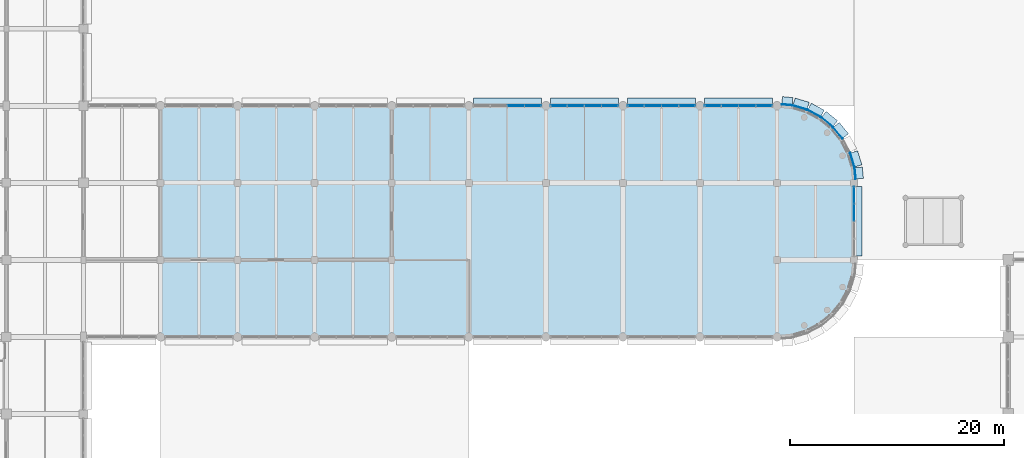
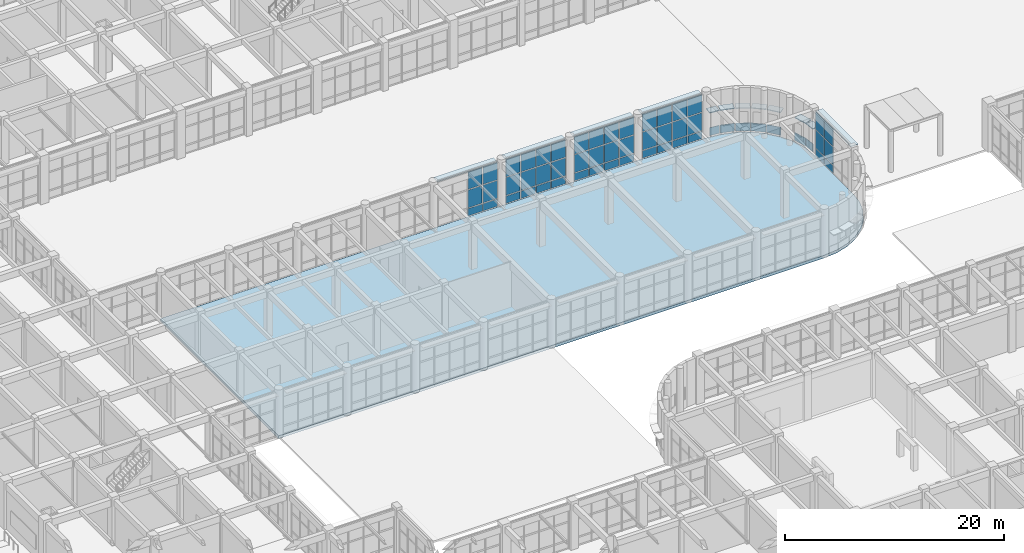
# One storey, part 126 of 160: 67 plates, 1 slab, 5 elements without a shape of their own.
"""IFC4 building model written with IfcOpenShell, lengths in metres."""

from ifc_helpers import new_model, si_unit, direction, frame, origin, origin_2d, place, context, subcontext, project, spatial, polyline, rectangle, outline, extrude, material, layer, layer_set, type_object, element, aggregate, save


model = new_model("IFC4")

# Units and contexts
model_context = context("Model", 3, precision=1e-05, world=origin(), true_north=direction((0.0, 1.0)))
body_context = subcontext(model_context, "Body", "Model", "MODEL_VIEW")
ifc_project = project(units=[si_unit("LENGTHUNIT", "METRE"), si_unit("AREAUNIT", "SQUARE_METRE"), si_unit("VOLUMEUNIT", "CUBIC_METRE"), si_unit("PLANEANGLEUNIT", "RADIAN"), si_unit("MASSUNIT", "GRAM", prefix="KILO")], contexts=[model_context])

# Site, building, storey
site_placement = place(None, origin())
site = spatial("IfcSite", under=ifc_project, at=site_placement, CompositionType="ELEMENT")
building_placement = place(site_placement, origin())
building = spatial("IfcBuilding", under=site, at=building_placement, Name="Thalmaran Polytechnic", CompositionType="ELEMENT")
storey_placement = place(building_placement, origin())
storey = spatial("IfcBuildingStorey", under=building, at=storey_placement, Name="L00", CompositionType="ELEMENT", Elevation=0.0)

# Plates
ifc_material_1 = material(Name="Anodised aluminium spandrel band", Category="aluminium")
ifc_layer_1 = layer(ifc_material_1, 0.054931640625, Name="Anodised aluminium spandrel band")
ifc_layer_set_1 = layer_set([ifc_layer_1], Name="Anodised aluminium spandrel band")
plate_type_1 = type_object("IfcPlateType", Name="PT-BD01", PredefinedType="SHEET", material=ifc_layer_set_1)
plate_1_placement = place(storey_placement, frame((87.319091796875, 72.09033203125, 0.02001953125), z_axis=(0.0, 0.0, 1.0), x_axis=(0.995184726672, -0.09801714033, 0.0)))
element("IfcPlate", 1, at=plate_1_placement, inside=storey, type_object=plate_type_1, Name="Streamline Horizontal Spandrel Band L00-120", PredefinedType="SHEET", context=body_context, shape_type="SweptSolid", body=[
    extrude(rectangle(XDim=0.971435546875, YDim=0.054931640625, at=origin_2d()), origin(), (0.0, 0.0, 1.0), 0.8798828125),
])
for number, where, z_axis, x_axis, name in (
    (2, (88.5322265625, 71.8291015625, 0.02001953125), (0.0, 0.0, 1.0), (0.956940335732, -0.290284677254, 0.0), "Streamline Horizontal Spandrel Band L00-121"),
    (3, (89.862548828125, 71.278076171875, 0.02001953125), (0.0, 0.0, 1.0), (0.881921264348, -0.471396736826, 0.0), "Streamline Horizontal Spandrel Band L00-122"),
    (4, (91.059814453125, 70.47802734375, 0.02001953125), (0.0, 0.0, 1.0), (0.773010453363, -0.634393284164, 0.0), "Streamline Horizontal Spandrel Band L00-123"),
    (5, (92.078125, 69.459716796875, 0.02001953125), (0.0, 0.0, 1.0), (0.634393284164, -0.773010453363, 0.0), "Streamline Horizontal Spandrel Band L00-124"),
    (6, (93.428955078125, 66.93212890625, 0.02001953125), (0.0, 0.0, 1.0), (0.290284677254, -0.956940335732, 0.0), "Streamline Horizontal Spandrel Band L00-126"),
):
    element("IfcPlate", number, at=place(storey_placement, frame(where, z_axis=z_axis, x_axis=x_axis)), inside=storey, type_object=plate_type_1, Name=name, PredefinedType="SHEET", context=body_context, shape_type="SweptSolid", body=[
        extrude(rectangle(XDim=1.371337890625, YDim=0.054931640625, at=origin_2d()), origin(), (0.0, 0.0, 1.0), 0.8798828125),
    ])
plate_2_placement = place(storey_placement, frame((93.694091796875, 65.681640625, 0.02001953125), z_axis=(0.0, 0.0, 1.0), x_axis=(0.09801714033, -0.995184726672, 0.0)))
element("IfcPlate", 7, at=plate_2_placement, inside=storey, type_object=plate_type_1, Name="Streamline Horizontal Spandrel Band L00-127", PredefinedType="SHEET", context=body_context, shape_type="SweptSolid", body=[
    extrude(rectangle(XDim=1.04638671875, YDim=0.054931640625, at=origin_2d()), origin(), (0.0, 0.0, 1.0), 0.8798828125),
])
ifc_material_2 = material(Name="Anodised aluminium sun-hood eyebrow", Category="aluminium")
ifc_layer_2 = layer(ifc_material_2, 0.0849609375, Name="Anodised aluminium sun-hood eyebrow")
ifc_layer_set_2 = layer_set([ifc_layer_2], Name="Anodised aluminium sun-hood eyebrow")
plate_type_2 = type_object("IfcPlateType", Name="PT-EB01", PredefinedType="SHEET", material=ifc_layer_set_2)
for number, where, z_axis, x_axis, name in (
    (8, (61.199951171875, 72.360107421875, 4.987548828125), (0.0, 0.0, 1.0), (1.0, 0.0, 0.0), "Streamline Sun-Hood Eyebrow L00-CW031"),
    (9, (68.39990234375, 72.360107421875, 4.987548828125), (0.0, 0.0, 1.0), (1.0, 0.0, 0.0), "Streamline Sun-Hood Eyebrow L00-CW032"),
    (10, (75.60009765625, 72.360107421875, 4.987548828125), (0.0, 0.0, 1.0), (1.0, 0.0, 0.0), "Streamline Sun-Hood Eyebrow L00-CW033"),
    (11, (82.800048828125, 72.360107421875, 4.987548828125), (0.0, 0.0, 1.0), (1.0, 0.0, 0.0), "Streamline Sun-Hood Eyebrow L00-CW034"),
):
    element("IfcPlate", number, at=place(storey_placement, frame(where, z_axis=z_axis, x_axis=x_axis)), inside=storey, type_object=plate_type_2, Name=name, PredefinedType="SHEET", context=body_context, shape_type="SweptSolid", body=[
        extrude(rectangle(XDim=6.360107421875, YDim=0.760009765625, at=origin_2d()), origin(), (0.0, 0.0, 1.0), 0.0849609375),
    ])
plate_3_placement = place(storey_placement, frame((87.352783203125, 72.43359375, 2.517578125), z_axis=(0.0, 0.0, 1.0), x_axis=(0.995184726672, -0.09801714033, 0.0)))
element("IfcPlate", 12, at=plate_3_placement, inside=storey, type_object=plate_type_2, Name="Streamline Sun-Hood Eyebrow L00-120", PredefinedType="SHEET", context=body_context, shape_type="SweptSolid", body=[
    extrude(rectangle(XDim=0.971435546875, YDim=0.760009765625, at=origin_2d()), origin(), (0.0, 0.0, 1.0), 0.0849609375),
])
for number, where, z_axis, x_axis, name in (
    (13, (88.63232421875, 72.1591796875, 2.517578125), (0.0, 0.0, 1.0), (0.956940335732, -0.290284677254, 0.0), "Streamline Sun-Hood Eyebrow L00-121"),
    (14, (90.025146484375, 71.582275390625, 2.517578125), (0.0, 0.0, 1.0), (0.881921264348, -0.471396736826, 0.0), "Streamline Sun-Hood Eyebrow L00-122"),
    (15, (91.27880859375, 70.74462890625, 2.517578125), (0.0, 0.0, 1.0), (0.773010453363, -0.634393284164, 0.0), "Streamline Sun-Hood Eyebrow L00-123"),
    (16, (92.3447265625, 69.6787109375, 2.517578125), (0.0, 0.0, 1.0), (0.634393284164, -0.773010453363, 0.0), "Streamline Sun-Hood Eyebrow L00-124"),
    (17, (93.75927734375, 67.032470703125, 2.517578125), (0.0, 0.0, 1.0), (0.290284677254, -0.956940335732, 0.0), "Streamline Sun-Hood Eyebrow L00-126"),
):
    element("IfcPlate", number, at=place(storey_placement, frame(where, z_axis=z_axis, x_axis=x_axis)), inside=storey, type_object=plate_type_2, Name=name, PredefinedType="SHEET", context=body_context, shape_type="SweptSolid", body=[
        extrude(rectangle(XDim=1.371337890625, YDim=0.760009765625, at=origin_2d()), origin(), (0.0, 0.0, 1.0), 0.0849609375),
    ])
plate_4_placement = place(storey_placement, frame((94.037353515625, 65.715576171875, 2.517578125), z_axis=(0.0, 0.0, 1.0), x_axis=(0.09801714033, -0.995184726672, 0.0)))
element("IfcPlate", 18, at=plate_4_placement, inside=storey, type_object=plate_type_2, Name="Streamline Sun-Hood Eyebrow L00-127", PredefinedType="SHEET", context=body_context, shape_type="SweptSolid", body=[
    extrude(rectangle(XDim=1.04638671875, YDim=0.760009765625, at=origin_2d()), origin(), (0.0, 0.0, 1.0), 0.0849609375),
])
plate_5_placement = place(storey_placement, frame((93.9599609375, 61.199951171875, 4.987548828125), z_axis=(0.0, 0.0, 1.0), x_axis=(0.0, -1.0, 0.0)))
element("IfcPlate", 19, at=plate_5_placement, inside=storey, type_object=plate_type_2, Name="Streamline Sun-Hood Eyebrow L00-CW035", PredefinedType="SHEET", context=body_context, shape_type="SweptSolid", body=[
    extrude(rectangle(XDim=6.510009765625, YDim=0.760009765625, at=origin_2d()), origin(), (0.0, 0.0, 1.0), 0.0849609375),
])

# Curtain wall, plates
ifc_material_3 = material(Name="Aluminium 6063-T6", Category="aluminium")
curtain_wall_type = type_object("IfcCurtainWallType", Name="CW-SC01", PredefinedType="USERDEFINED", material=ifc_material_3)
curtain_wall_1_placement = place(storey_placement, origin())
curtain_wall_1 = element("IfcCurtainWall", 20, at=curtain_wall_1_placement, inside=storey, type_object=curtain_wall_type, Name="Curtain Wall CW-L00-035", ObjectType="STICK CURTAIN WALL", PredefinedType="USERDEFINED")
ifc_material_4 = material(Name="Solar-control double low-E glass", Category="glass")
ifc_layer_3 = layer(ifc_material_4, 0.035888671875, Name="Solar-control double low-E glass")
ifc_layer_set_3 = layer_set([ifc_layer_3], Name="Solar-control double low-E glass")
plate_type_3 = type_object("IfcPlateType", Name="PT-GL01", PredefinedType="CURTAIN_PANEL", material=ifc_layer_set_3)
plate_6_placement = place(storey_placement, frame((93.60009765625, 63.65625, 1.0), z_axis=(0.0, 0.0, 1.0), x_axis=(0.0, -1.0, 0.0)))
plate_6 = element("IfcPlate", 21, at=plate_6_placement, type_object=plate_type_3, Name="CW-L00-035 Vision Panel 1-2", PredefinedType="CURTAIN_PANEL", context=body_context, shape_type="SweptSolid", body=[
    extrude(rectangle(XDim=1.53759765625, YDim=0.035888671875, at=origin_2d()), origin(), (0.0, 0.0, 1.0), 1.985107421875),
])
plate_7_placement = place(storey_placement, frame((93.60009765625, 63.65625, 3.06494140625), z_axis=(0.0, 0.0, 1.0), x_axis=(0.0, -1.0, 0.0)))
plate_7 = element("IfcPlate", 22, at=plate_7_placement, type_object=plate_type_3, Name="CW-L00-035 Vision Panel 1-3", PredefinedType="CURTAIN_PANEL", context=body_context, shape_type="SweptSolid", body=[
    extrude(rectangle(XDim=1.53759765625, YDim=0.035888671875, at=origin_2d()), origin(), (0.0, 0.0, 1.0), 1.925048828125),
])
plate_8_placement = place(storey_placement, frame((93.60009765625, 62.018798828125, 1.0), z_axis=(0.0, 0.0, 1.0), x_axis=(0.0, -1.0, 0.0)))
plate_8 = element("IfcPlate", 23, at=plate_8_placement, type_object=plate_type_3, Name="CW-L00-035 Vision Panel 2-2", PredefinedType="CURTAIN_PANEL", context=body_context, shape_type="SweptSolid", body=[
    extrude(rectangle(XDim=1.53759765625, YDim=0.035888671875, at=origin_2d()), origin(), (0.0, 0.0, 1.0), 1.985107421875),
])
plate_9_placement = place(storey_placement, frame((93.60009765625, 62.018798828125, 3.06494140625), z_axis=(0.0, 0.0, 1.0), x_axis=(0.0, -1.0, 0.0)))
plate_9 = element("IfcPlate", 24, at=plate_9_placement, type_object=plate_type_3, Name="CW-L00-035 Vision Panel 2-3", PredefinedType="CURTAIN_PANEL", context=body_context, shape_type="SweptSolid", body=[
    extrude(rectangle(XDim=1.53759765625, YDim=0.035888671875, at=origin_2d()), origin(), (0.0, 0.0, 1.0), 1.925048828125),
])

curtain_wall_2_placement = place(storey_placement, origin())
curtain_wall_2 = element("IfcCurtainWall", 25, at=curtain_wall_2_placement, inside=storey, type_object=curtain_wall_type, Name="Curtain Wall CW-L00-031", ObjectType="STICK CURTAIN WALL", PredefinedType="USERDEFINED")
ifc_layer_4 = layer(ifc_material_4, 0.035888671875, Name="Solar-control double low-E glass")
ifc_layer_set_4 = layer_set([ifc_layer_4], Name="Solar-control double low-E glass")
plate_type_4 = type_object("IfcPlateType", Name="PT-GL02", PredefinedType="CURTAIN_PANEL", material=ifc_layer_set_4)
plate_10_placement = place(storey_placement, frame((62.0, 72.0, 1.0), z_axis=(0.0, 0.0, 1.0), x_axis=(1.0, 0.0, 0.0)))
plate_10 = element("IfcPlate", 26, at=plate_10_placement, type_object=plate_type_4, Name="CW-L00-031 Vision Panel 3-2", PredefinedType="CURTAIN_PANEL", context=body_context, shape_type="SweptSolid", body=[
    extrude(rectangle(XDim=1.5, YDim=0.035888671875, at=origin_2d()), origin(), (0.0, 0.0, 1.0), 1.985107421875),
])
plate_11_placement = place(storey_placement, frame((62.0, 72.0, 3.06494140625), z_axis=(0.0, 0.0, 1.0), x_axis=(1.0, 0.0, 0.0)))
plate_11 = element("IfcPlate", 27, at=plate_11_placement, type_object=plate_type_4, Name="CW-L00-031 Vision Panel 3-3", PredefinedType="CURTAIN_PANEL", context=body_context, shape_type="SweptSolid", body=[
    extrude(rectangle(XDim=1.5, YDim=0.035888671875, at=origin_2d()), origin(), (0.0, 0.0, 1.0), 1.925048828125),
])
plate_12_placement = place(storey_placement, frame((63.60009765625, 72.0, 1.0), z_axis=(0.0, 0.0, 1.0), x_axis=(1.0, 0.0, 0.0)))
plate_12 = element("IfcPlate", 28, at=plate_12_placement, type_object=plate_type_4, Name="CW-L00-031 Vision Panel 4-2", PredefinedType="CURTAIN_PANEL", context=body_context, shape_type="SweptSolid", body=[
    extrude(rectangle(XDim=1.5, YDim=0.035888671875, at=origin_2d()), origin(), (0.0, 0.0, 1.0), 1.985107421875),
])
plate_13_placement = place(storey_placement, frame((63.60009765625, 72.0, 3.06494140625), z_axis=(0.0, 0.0, 1.0), x_axis=(1.0, 0.0, 0.0)))
plate_13 = element("IfcPlate", 29, at=plate_13_placement, type_object=plate_type_4, Name="CW-L00-031 Vision Panel 4-3", PredefinedType="CURTAIN_PANEL", context=body_context, shape_type="SweptSolid", body=[
    extrude(rectangle(XDim=1.5, YDim=0.035888671875, at=origin_2d()), origin(), (0.0, 0.0, 1.0), 1.925048828125),
])

curtain_wall_3_placement = place(storey_placement, origin())
curtain_wall_3 = element("IfcCurtainWall", 30, at=curtain_wall_3_placement, inside=storey, type_object=curtain_wall_type, Name="Curtain Wall CW-L00-032", ObjectType="STICK CURTAIN WALL", PredefinedType="USERDEFINED")
ifc_layer_5 = layer(ifc_material_4, 0.035888671875, Name="Solar-control double low-E glass")
ifc_layer_set_5 = layer_set([ifc_layer_5], Name="Solar-control double low-E glass")
plate_type_5 = type_object("IfcPlateType", Name="PT-GL03", PredefinedType="CURTAIN_PANEL", material=ifc_layer_set_5)
plate_14_placement = place(storey_placement, frame((66.0, 72.0, 1.0), z_axis=(0.0, 0.0, 1.0), x_axis=(1.0, 0.0, 0.0)))
plate_14 = element("IfcPlate", 31, at=plate_14_placement, type_object=plate_type_5, Name="CW-L00-032 Vision Panel 1-2", PredefinedType="CURTAIN_PANEL", context=body_context, shape_type="SweptSolid", body=[
    extrude(rectangle(XDim=1.5, YDim=0.035888671875, at=origin_2d()), origin(), (0.0, 0.0, 1.0), 1.985107421875),
])
plate_15_placement = place(storey_placement, frame((66.0, 72.0, 3.06494140625), z_axis=(0.0, 0.0, 1.0), x_axis=(1.0, 0.0, 0.0)))
plate_15 = element("IfcPlate", 32, at=plate_15_placement, type_object=plate_type_5, Name="CW-L00-032 Vision Panel 1-3", PredefinedType="CURTAIN_PANEL", context=body_context, shape_type="SweptSolid", body=[
    extrude(rectangle(XDim=1.5, YDim=0.035888671875, at=origin_2d()), origin(), (0.0, 0.0, 1.0), 1.925048828125),
])
plate_16_placement = place(storey_placement, frame((67.60009765625, 72.0, 1.0), z_axis=(0.0, 0.0, 1.0), x_axis=(1.0, 0.0, 0.0)))
plate_16 = element("IfcPlate", 33, at=plate_16_placement, type_object=plate_type_5, Name="CW-L00-032 Vision Panel 2-2", PredefinedType="CURTAIN_PANEL", context=body_context, shape_type="SweptSolid", body=[
    extrude(rectangle(XDim=1.5, YDim=0.035888671875, at=origin_2d()), origin(), (0.0, 0.0, 1.0), 1.985107421875),
])
plate_17_placement = place(storey_placement, frame((67.60009765625, 72.0, 3.06494140625), z_axis=(0.0, 0.0, 1.0), x_axis=(1.0, 0.0, 0.0)))
plate_17 = element("IfcPlate", 34, at=plate_17_placement, type_object=plate_type_5, Name="CW-L00-032 Vision Panel 2-3", PredefinedType="CURTAIN_PANEL", context=body_context, shape_type="SweptSolid", body=[
    extrude(rectangle(XDim=1.5, YDim=0.035888671875, at=origin_2d()), origin(), (0.0, 0.0, 1.0), 1.925048828125),
])
plate_18_placement = place(storey_placement, frame((69.199951171875, 72.0, 1.0), z_axis=(0.0, 0.0, 1.0), x_axis=(1.0, 0.0, 0.0)))
plate_18 = element("IfcPlate", 35, at=plate_18_placement, type_object=plate_type_5, Name="CW-L00-032 Vision Panel 3-2", PredefinedType="CURTAIN_PANEL", context=body_context, shape_type="SweptSolid", body=[
    extrude(rectangle(XDim=1.5, YDim=0.035888671875, at=origin_2d()), origin(), (0.0, 0.0, 1.0), 1.985107421875),
])
plate_19_placement = place(storey_placement, frame((69.199951171875, 72.0, 3.06494140625), z_axis=(0.0, 0.0, 1.0), x_axis=(1.0, 0.0, 0.0)))
plate_19 = element("IfcPlate", 36, at=plate_19_placement, type_object=plate_type_5, Name="CW-L00-032 Vision Panel 3-3", PredefinedType="CURTAIN_PANEL", context=body_context, shape_type="SweptSolid", body=[
    extrude(rectangle(XDim=1.5, YDim=0.035888671875, at=origin_2d()), origin(), (0.0, 0.0, 1.0), 1.925048828125),
])
plate_20_placement = place(storey_placement, frame((70.800048828125, 72.0, 1.0), z_axis=(0.0, 0.0, 1.0), x_axis=(1.0, 0.0, 0.0)))
plate_20 = element("IfcPlate", 37, at=plate_20_placement, type_object=plate_type_5, Name="CW-L00-032 Vision Panel 4-2", PredefinedType="CURTAIN_PANEL", context=body_context, shape_type="SweptSolid", body=[
    extrude(rectangle(XDim=1.5, YDim=0.035888671875, at=origin_2d()), origin(), (0.0, 0.0, 1.0), 1.985107421875),
])
plate_21_placement = place(storey_placement, frame((70.800048828125, 72.0, 3.06494140625), z_axis=(0.0, 0.0, 1.0), x_axis=(1.0, 0.0, 0.0)))
plate_21 = element("IfcPlate", 38, at=plate_21_placement, type_object=plate_type_5, Name="CW-L00-032 Vision Panel 4-3", PredefinedType="CURTAIN_PANEL", context=body_context, shape_type="SweptSolid", body=[
    extrude(rectangle(XDim=1.5, YDim=0.035888671875, at=origin_2d()), origin(), (0.0, 0.0, 1.0), 1.925048828125),
])

curtain_wall_4_placement = place(storey_placement, origin())
curtain_wall_4 = element("IfcCurtainWall", 39, at=curtain_wall_4_placement, inside=storey, type_object=curtain_wall_type, Name="Curtain Wall CW-L00-033", ObjectType="STICK CURTAIN WALL", PredefinedType="USERDEFINED")
ifc_layer_6 = layer(ifc_material_4, 0.035888671875, Name="Solar-control double low-E glass")
ifc_layer_set_6 = layer_set([ifc_layer_6], Name="Solar-control double low-E glass")
plate_type_6 = type_object("IfcPlateType", Name="PT-GL04", PredefinedType="CURTAIN_PANEL", material=ifc_layer_set_6)
plate_22_placement = place(storey_placement, frame((73.199951171875, 72.0, 1.0), z_axis=(0.0, 0.0, 1.0), x_axis=(1.0, 0.0, 0.0)))
plate_22 = element("IfcPlate", 40, at=plate_22_placement, type_object=plate_type_6, Name="CW-L00-033 Vision Panel 1-2", PredefinedType="CURTAIN_PANEL", context=body_context, shape_type="SweptSolid", body=[
    extrude(rectangle(XDim=1.5, YDim=0.035888671875, at=origin_2d()), origin(), (0.0, 0.0, 1.0), 1.985107421875),
])
plate_23_placement = place(storey_placement, frame((73.199951171875, 72.0, 3.06494140625), z_axis=(0.0, 0.0, 1.0), x_axis=(1.0, 0.0, 0.0)))
plate_23 = element("IfcPlate", 41, at=plate_23_placement, type_object=plate_type_6, Name="CW-L00-033 Vision Panel 1-3", PredefinedType="CURTAIN_PANEL", context=body_context, shape_type="SweptSolid", body=[
    extrude(rectangle(XDim=1.5, YDim=0.035888671875, at=origin_2d()), origin(), (0.0, 0.0, 1.0), 1.925048828125),
])
plate_24_placement = place(storey_placement, frame((74.800048828125, 72.0, 1.0), z_axis=(0.0, 0.0, 1.0), x_axis=(1.0, 0.0, 0.0)))
plate_24 = element("IfcPlate", 42, at=plate_24_placement, type_object=plate_type_6, Name="CW-L00-033 Vision Panel 2-2", PredefinedType="CURTAIN_PANEL", context=body_context, shape_type="SweptSolid", body=[
    extrude(rectangle(XDim=1.5, YDim=0.035888671875, at=origin_2d()), origin(), (0.0, 0.0, 1.0), 1.985107421875),
])
plate_25_placement = place(storey_placement, frame((74.800048828125, 72.0, 3.06494140625), z_axis=(0.0, 0.0, 1.0), x_axis=(1.0, 0.0, 0.0)))
plate_25 = element("IfcPlate", 43, at=plate_25_placement, type_object=plate_type_6, Name="CW-L00-033 Vision Panel 2-3", PredefinedType="CURTAIN_PANEL", context=body_context, shape_type="SweptSolid", body=[
    extrude(rectangle(XDim=1.5, YDim=0.035888671875, at=origin_2d()), origin(), (0.0, 0.0, 1.0), 1.925048828125),
])
plate_26_placement = place(storey_placement, frame((76.39990234375, 72.0, 1.0), z_axis=(0.0, 0.0, 1.0), x_axis=(1.0, 0.0, 0.0)))
plate_26 = element("IfcPlate", 44, at=plate_26_placement, type_object=plate_type_6, Name="CW-L00-033 Vision Panel 3-2", PredefinedType="CURTAIN_PANEL", context=body_context, shape_type="SweptSolid", body=[
    extrude(rectangle(XDim=1.5, YDim=0.035888671875, at=origin_2d()), origin(), (0.0, 0.0, 1.0), 1.985107421875),
])
plate_27_placement = place(storey_placement, frame((76.39990234375, 72.0, 3.06494140625), z_axis=(0.0, 0.0, 1.0), x_axis=(1.0, 0.0, 0.0)))
plate_27 = element("IfcPlate", 45, at=plate_27_placement, type_object=plate_type_6, Name="CW-L00-033 Vision Panel 3-3", PredefinedType="CURTAIN_PANEL", context=body_context, shape_type="SweptSolid", body=[
    extrude(rectangle(XDim=1.5, YDim=0.035888671875, at=origin_2d()), origin(), (0.0, 0.0, 1.0), 1.925048828125),
])
plate_28_placement = place(storey_placement, frame((78.0, 72.0, 1.0), z_axis=(0.0, 0.0, 1.0), x_axis=(1.0, 0.0, 0.0)))
plate_28 = element("IfcPlate", 46, at=plate_28_placement, type_object=plate_type_6, Name="CW-L00-033 Vision Panel 4-2", PredefinedType="CURTAIN_PANEL", context=body_context, shape_type="SweptSolid", body=[
    extrude(rectangle(XDim=1.5, YDim=0.035888671875, at=origin_2d()), origin(), (0.0, 0.0, 1.0), 1.985107421875),
])
plate_29_placement = place(storey_placement, frame((78.0, 72.0, 3.06494140625), z_axis=(0.0, 0.0, 1.0), x_axis=(1.0, 0.0, 0.0)))
plate_29 = element("IfcPlate", 47, at=plate_29_placement, type_object=plate_type_6, Name="CW-L00-033 Vision Panel 4-3", PredefinedType="CURTAIN_PANEL", context=body_context, shape_type="SweptSolid", body=[
    extrude(rectangle(XDim=1.5, YDim=0.035888671875, at=origin_2d()), origin(), (0.0, 0.0, 1.0), 1.925048828125),
])

curtain_wall_5_placement = place(storey_placement, origin())
curtain_wall_5 = element("IfcCurtainWall", 48, at=curtain_wall_5_placement, inside=storey, type_object=curtain_wall_type, Name="Curtain Wall CW-L00-034", ObjectType="STICK CURTAIN WALL", PredefinedType="USERDEFINED")
ifc_layer_7 = layer(ifc_material_4, 0.035888671875, Name="Solar-control double low-E glass")
ifc_layer_set_7 = layer_set([ifc_layer_7], Name="Solar-control double low-E glass")
plate_type_7 = type_object("IfcPlateType", Name="PT-GL05", PredefinedType="CURTAIN_PANEL", material=ifc_layer_set_7)
plate_30_placement = place(storey_placement, frame((80.39990234375, 72.0, 1.0), z_axis=(0.0, 0.0, 1.0), x_axis=(1.0, 0.0, 0.0)))
plate_30 = element("IfcPlate", 49, at=plate_30_placement, type_object=plate_type_7, Name="CW-L00-034 Vision Panel 1-2", PredefinedType="CURTAIN_PANEL", context=body_context, shape_type="SweptSolid", body=[
    extrude(rectangle(XDim=1.5, YDim=0.035888671875, at=origin_2d()), origin(), (0.0, 0.0, 1.0), 1.985107421875),
])
plate_31_placement = place(storey_placement, frame((80.39990234375, 72.0, 3.06494140625), z_axis=(0.0, 0.0, 1.0), x_axis=(1.0, 0.0, 0.0)))
plate_31 = element("IfcPlate", 50, at=plate_31_placement, type_object=plate_type_7, Name="CW-L00-034 Vision Panel 1-3", PredefinedType="CURTAIN_PANEL", context=body_context, shape_type="SweptSolid", body=[
    extrude(rectangle(XDim=1.5, YDim=0.035888671875, at=origin_2d()), origin(), (0.0, 0.0, 1.0), 1.925048828125),
])
plate_32_placement = place(storey_placement, frame((82.0, 72.0, 1.0), z_axis=(0.0, 0.0, 1.0), x_axis=(1.0, 0.0, 0.0)))
plate_32 = element("IfcPlate", 51, at=plate_32_placement, type_object=plate_type_7, Name="CW-L00-034 Vision Panel 2-2", PredefinedType="CURTAIN_PANEL", context=body_context, shape_type="SweptSolid", body=[
    extrude(rectangle(XDim=1.5, YDim=0.035888671875, at=origin_2d()), origin(), (0.0, 0.0, 1.0), 1.985107421875),
])
plate_33_placement = place(storey_placement, frame((82.0, 72.0, 3.06494140625), z_axis=(0.0, 0.0, 1.0), x_axis=(1.0, 0.0, 0.0)))
plate_33 = element("IfcPlate", 52, at=plate_33_placement, type_object=plate_type_7, Name="CW-L00-034 Vision Panel 2-3", PredefinedType="CURTAIN_PANEL", context=body_context, shape_type="SweptSolid", body=[
    extrude(rectangle(XDim=1.5, YDim=0.035888671875, at=origin_2d()), origin(), (0.0, 0.0, 1.0), 1.925048828125),
])
plate_34_placement = place(storey_placement, frame((83.60009765625, 72.0, 1.0), z_axis=(0.0, 0.0, 1.0), x_axis=(1.0, 0.0, 0.0)))
plate_34 = element("IfcPlate", 53, at=plate_34_placement, type_object=plate_type_7, Name="CW-L00-034 Vision Panel 3-2", PredefinedType="CURTAIN_PANEL", context=body_context, shape_type="SweptSolid", body=[
    extrude(rectangle(XDim=1.5, YDim=0.035888671875, at=origin_2d()), origin(), (0.0, 0.0, 1.0), 1.985107421875),
])
plate_35_placement = place(storey_placement, frame((83.60009765625, 72.0, 3.06494140625), z_axis=(0.0, 0.0, 1.0), x_axis=(1.0, 0.0, 0.0)))
plate_35 = element("IfcPlate", 54, at=plate_35_placement, type_object=plate_type_7, Name="CW-L00-034 Vision Panel 3-3", PredefinedType="CURTAIN_PANEL", context=body_context, shape_type="SweptSolid", body=[
    extrude(rectangle(XDim=1.5, YDim=0.035888671875, at=origin_2d()), origin(), (0.0, 0.0, 1.0), 1.925048828125),
])
plate_36_placement = place(storey_placement, frame((85.199951171875, 72.0, 1.0), z_axis=(0.0, 0.0, 1.0), x_axis=(1.0, 0.0, 0.0)))
plate_36 = element("IfcPlate", 55, at=plate_36_placement, type_object=plate_type_7, Name="CW-L00-034 Vision Panel 4-2", PredefinedType="CURTAIN_PANEL", context=body_context, shape_type="SweptSolid", body=[
    extrude(rectangle(XDim=1.5, YDim=0.035888671875, at=origin_2d()), origin(), (0.0, 0.0, 1.0), 1.985107421875),
])
plate_37_placement = place(storey_placement, frame((85.199951171875, 72.0, 3.06494140625), z_axis=(0.0, 0.0, 1.0), x_axis=(1.0, 0.0, 0.0)))
plate_37 = element("IfcPlate", 56, at=plate_37_placement, type_object=plate_type_7, Name="CW-L00-034 Vision Panel 4-3", PredefinedType="CURTAIN_PANEL", context=body_context, shape_type="SweptSolid", body=[
    extrude(rectangle(XDim=1.5, YDim=0.035888671875, at=origin_2d()), origin(), (0.0, 0.0, 1.0), 1.925048828125),
])

# Plate
ifc_material_5 = material(Name="Insulated anodised aluminium spandrel", Category="aluminium")
ifc_layer_8 = layer(ifc_material_5, 0.06005859375, Name="Insulated anodised aluminium spandrel")
ifc_layer_set_8 = layer_set([ifc_layer_8], Name="Insulated anodised aluminium spandrel")
plate_type_8 = type_object("IfcPlateType", Name="PT-SP01", PredefinedType="CURTAIN_PANEL", material=ifc_layer_set_8)
plate_38_placement = place(storey_placement, frame((73.199951171875, 72.0, 0.10009765625), z_axis=(0.0, 0.0, 1.0), x_axis=(1.0, 0.0, 0.0)))
plate_38 = element("IfcPlate", 57, at=plate_38_placement, type_object=plate_type_8, Name="CW-L00-033 Spandrel Panel 1-1", PredefinedType="CURTAIN_PANEL", context=body_context, shape_type="SweptSolid", body=[
    extrude(rectangle(XDim=1.5, YDim=0.06005859375, at=origin_2d()), origin(), (0.0, 0.0, 1.0), 0.820068359375),
])

plate_39_placement = place(storey_placement, frame((74.800048828125, 72.0, 0.10009765625), z_axis=(0.0, 0.0, 1.0), x_axis=(1.0, 0.0, 0.0)))
plate_39 = element("IfcPlate", 58, at=plate_39_placement, type_object=plate_type_8, Name="CW-L00-033 Spandrel Panel 2-1", PredefinedType="CURTAIN_PANEL", context=body_context, shape_type="SweptSolid", body=[
    extrude(rectangle(XDim=1.5, YDim=0.06005859375, at=origin_2d()), origin(), (0.0, 0.0, 1.0), 0.820068359375),
])

plate_40_placement = place(storey_placement, frame((76.39990234375, 72.0, 0.10009765625), z_axis=(0.0, 0.0, 1.0), x_axis=(1.0, 0.0, 0.0)))
plate_40 = element("IfcPlate", 59, at=plate_40_placement, type_object=plate_type_8, Name="CW-L00-033 Spandrel Panel 3-1", PredefinedType="CURTAIN_PANEL", context=body_context, shape_type="SweptSolid", body=[
    extrude(rectangle(XDim=1.5, YDim=0.06005859375, at=origin_2d()), origin(), (0.0, 0.0, 1.0), 0.820068359375),
])

plate_41_placement = place(storey_placement, frame((78.0, 72.0, 0.10009765625), z_axis=(0.0, 0.0, 1.0), x_axis=(1.0, 0.0, 0.0)))
plate_41 = element("IfcPlate", 60, at=plate_41_placement, type_object=plate_type_8, Name="CW-L00-033 Spandrel Panel 4-1", PredefinedType="CURTAIN_PANEL", context=body_context, shape_type="SweptSolid", body=[
    extrude(rectangle(XDim=1.5, YDim=0.06005859375, at=origin_2d()), origin(), (0.0, 0.0, 1.0), 0.820068359375),
])

aggregate(curtain_wall_4, [plate_38, plate_22, plate_23, plate_39, plate_24, plate_25, plate_40, plate_26, plate_27, plate_41, plate_28, plate_29])

ifc_layer_9 = layer(ifc_material_5, 0.06005859375, Name="Insulated anodised aluminium spandrel")
ifc_layer_set_9 = layer_set([ifc_layer_9], Name="Insulated anodised aluminium spandrel")
plate_type_9 = type_object("IfcPlateType", Name="PT-SP02", PredefinedType="CURTAIN_PANEL", material=ifc_layer_set_9)
plate_42_placement = place(storey_placement, frame((62.0, 72.0, 0.10009765625), z_axis=(0.0, 0.0, 1.0), x_axis=(1.0, 0.0, 0.0)))
plate_42 = element("IfcPlate", 61, at=plate_42_placement, type_object=plate_type_9, Name="CW-L00-031 Spandrel Panel 3-1", PredefinedType="CURTAIN_PANEL", context=body_context, shape_type="SweptSolid", body=[
    extrude(rectangle(XDim=1.5, YDim=0.06005859375, at=origin_2d()), origin(), (0.0, 0.0, 1.0), 0.820068359375),
])

plate_43_placement = place(storey_placement, frame((63.60009765625, 72.0, 0.10009765625), z_axis=(0.0, 0.0, 1.0), x_axis=(1.0, 0.0, 0.0)))
plate_43 = element("IfcPlate", 62, at=plate_43_placement, type_object=plate_type_9, Name="CW-L00-031 Spandrel Panel 4-1", PredefinedType="CURTAIN_PANEL", context=body_context, shape_type="SweptSolid", body=[
    extrude(rectangle(XDim=1.5, YDim=0.06005859375, at=origin_2d()), origin(), (0.0, 0.0, 1.0), 0.820068359375),
])

aggregate(curtain_wall_2, [plate_42, plate_10, plate_11, plate_43, plate_12, plate_13])

plate_44_placement = place(storey_placement, frame((80.39990234375, 72.0, 0.10009765625), z_axis=(0.0, 0.0, 1.0), x_axis=(1.0, 0.0, 0.0)))
plate_44 = element("IfcPlate", 63, at=plate_44_placement, type_object=plate_type_9, Name="CW-L00-034 Spandrel Panel 1-1", PredefinedType="CURTAIN_PANEL", context=body_context, shape_type="SweptSolid", body=[
    extrude(rectangle(XDim=1.5, YDim=0.06005859375, at=origin_2d()), origin(), (0.0, 0.0, 1.0), 0.820068359375),
])

plate_45_placement = place(storey_placement, frame((82.0, 72.0, 0.10009765625), z_axis=(0.0, 0.0, 1.0), x_axis=(1.0, 0.0, 0.0)))
plate_45 = element("IfcPlate", 64, at=plate_45_placement, type_object=plate_type_9, Name="CW-L00-034 Spandrel Panel 2-1", PredefinedType="CURTAIN_PANEL", context=body_context, shape_type="SweptSolid", body=[
    extrude(rectangle(XDim=1.5, YDim=0.06005859375, at=origin_2d()), origin(), (0.0, 0.0, 1.0), 0.820068359375),
])

plate_46_placement = place(storey_placement, frame((83.60009765625, 72.0, 0.10009765625), z_axis=(0.0, 0.0, 1.0), x_axis=(1.0, 0.0, 0.0)))
plate_46 = element("IfcPlate", 65, at=plate_46_placement, type_object=plate_type_9, Name="CW-L00-034 Spandrel Panel 3-1", PredefinedType="CURTAIN_PANEL", context=body_context, shape_type="SweptSolid", body=[
    extrude(rectangle(XDim=1.5, YDim=0.06005859375, at=origin_2d()), origin(), (0.0, 0.0, 1.0), 0.820068359375),
])

plate_47_placement = place(storey_placement, frame((85.199951171875, 72.0, 0.10009765625), z_axis=(0.0, 0.0, 1.0), x_axis=(1.0, 0.0, 0.0)))
plate_47 = element("IfcPlate", 66, at=plate_47_placement, type_object=plate_type_9, Name="CW-L00-034 Spandrel Panel 4-1", PredefinedType="CURTAIN_PANEL", context=body_context, shape_type="SweptSolid", body=[
    extrude(rectangle(XDim=1.5, YDim=0.06005859375, at=origin_2d()), origin(), (0.0, 0.0, 1.0), 0.820068359375),
])

aggregate(curtain_wall_5, [plate_44, plate_30, plate_31, plate_45, plate_32, plate_33, plate_46, plate_34, plate_35, plate_47, plate_36, plate_37])

ifc_layer_10 = layer(ifc_material_5, 0.06005859375, Name="Insulated anodised aluminium spandrel")
ifc_layer_set_10 = layer_set([ifc_layer_10], Name="Insulated anodised aluminium spandrel")
plate_type_10 = type_object("IfcPlateType", Name="PT-SP03", PredefinedType="CURTAIN_PANEL", material=ifc_layer_set_10)
plate_48_placement = place(storey_placement, frame((66.0, 72.0, 0.10009765625), z_axis=(0.0, 0.0, 1.0), x_axis=(1.0, 0.0, 0.0)))
plate_48 = element("IfcPlate", 67, at=plate_48_placement, type_object=plate_type_10, Name="CW-L00-032 Spandrel Panel 1-1", PredefinedType="CURTAIN_PANEL", context=body_context, shape_type="SweptSolid", body=[
    extrude(rectangle(XDim=1.5, YDim=0.06005859375, at=origin_2d()), origin(), (0.0, 0.0, 1.0), 0.820068359375),
])

plate_49_placement = place(storey_placement, frame((67.60009765625, 72.0, 0.10009765625), z_axis=(0.0, 0.0, 1.0), x_axis=(1.0, 0.0, 0.0)))
plate_49 = element("IfcPlate", 68, at=plate_49_placement, type_object=plate_type_10, Name="CW-L00-032 Spandrel Panel 2-1", PredefinedType="CURTAIN_PANEL", context=body_context, shape_type="SweptSolid", body=[
    extrude(rectangle(XDim=1.5, YDim=0.06005859375, at=origin_2d()), origin(), (0.0, 0.0, 1.0), 0.820068359375),
])

plate_50_placement = place(storey_placement, frame((69.199951171875, 72.0, 0.10009765625), z_axis=(0.0, 0.0, 1.0), x_axis=(1.0, 0.0, 0.0)))
plate_50 = element("IfcPlate", 69, at=plate_50_placement, type_object=plate_type_10, Name="CW-L00-032 Spandrel Panel 3-1", PredefinedType="CURTAIN_PANEL", context=body_context, shape_type="SweptSolid", body=[
    extrude(rectangle(XDim=1.5, YDim=0.06005859375, at=origin_2d()), origin(), (0.0, 0.0, 1.0), 0.820068359375),
])

plate_51_placement = place(storey_placement, frame((70.800048828125, 72.0, 0.10009765625), z_axis=(0.0, 0.0, 1.0), x_axis=(1.0, 0.0, 0.0)))
plate_51 = element("IfcPlate", 70, at=plate_51_placement, type_object=plate_type_10, Name="CW-L00-032 Spandrel Panel 4-1", PredefinedType="CURTAIN_PANEL", context=body_context, shape_type="SweptSolid", body=[
    extrude(rectangle(XDim=1.5, YDim=0.06005859375, at=origin_2d()), origin(), (0.0, 0.0, 1.0), 0.820068359375),
])

aggregate(curtain_wall_3, [plate_48, plate_14, plate_15, plate_49, plate_16, plate_17, plate_50, plate_18, plate_19, plate_51, plate_20, plate_21])

plate_52_placement = place(storey_placement, frame((93.60009765625, 63.65625, 0.10009765625), z_axis=(0.0, 0.0, 1.0), x_axis=(0.0, -1.0, 0.0)))
plate_52 = element("IfcPlate", 71, at=plate_52_placement, type_object=plate_type_10, Name="CW-L00-035 Spandrel Panel 1-1", PredefinedType="CURTAIN_PANEL", context=body_context, shape_type="SweptSolid", body=[
    extrude(rectangle(XDim=1.53759765625, YDim=0.06005859375, at=origin_2d()), origin(), (0.0, 0.0, 1.0), 0.820068359375),
])

plate_53_placement = place(storey_placement, frame((93.60009765625, 62.018798828125, 0.10009765625), z_axis=(0.0, 0.0, 1.0), x_axis=(0.0, -1.0, 0.0)))
plate_53 = element("IfcPlate", 72, at=plate_53_placement, type_object=plate_type_10, Name="CW-L00-035 Spandrel Panel 2-1", PredefinedType="CURTAIN_PANEL", context=body_context, shape_type="SweptSolid", body=[
    extrude(rectangle(XDim=1.53759765625, YDim=0.06005859375, at=origin_2d()), origin(), (0.0, 0.0, 1.0), 0.820068359375),
])

aggregate(curtain_wall_1, [plate_52, plate_6, plate_7, plate_53, plate_8, plate_9])

# Slab
ifc_material_6 = material(Name="Concrete C40/50", Category="concrete")
ifc_layer_11 = layer(ifc_material_6, 0.31005859375, Name="Concrete C40/50")
ifc_layer_set_11 = layer_set([ifc_layer_11], Name="Concrete C40/50")
slab_type = type_object("IfcSlabType", Name="SL-FL03", PredefinedType="FLOOR", material=ifc_layer_set_11)
slab_placement = place(storey_placement, frame((0.0, 0.0, -0.31005859375)))
element("IfcSlab", 73, at=slab_placement, inside=storey, type_object=slab_type, Name="V6 L00 Structural Slab", PredefinedType="FLOOR", context=body_context, shape_type="SweptSolid", body=[
    extrude(outline(polyline([(28.800048828125, 72.0), (36.0, 72.0), (43.199951171875, 72.0), (50.39990234375, 72.0), (57.60009765625, 72.0), (64.800048828125, 72.0), (72.0, 72.0), (79.199951171875, 72.0), (86.39990234375, 72.0), (87.8046875, 71.861572265625), (89.1552734375, 71.451904296875), (90.400146484375, 70.78662109375), (91.4912109375, 69.89111328125), (92.386474609375, 68.800048828125), (93.052001953125, 67.555419921875), (93.461669921875, 66.20458984375), (93.60009765625, 64.800048828125), (93.60009765625, 57.60009765625), (93.461669921875, 56.1953125), (93.052001953125, 54.8447265625), (92.386474609375, 53.599853515625), (91.4912109375, 52.5087890625), (90.400146484375, 51.613525390625), (89.1552734375, 50.947998046875), (87.8046875, 50.538330078125), (86.39990234375, 50.39990234375), (79.199951171875, 50.39990234375), (72.0, 50.39990234375), (64.800048828125, 50.39990234375), (57.60009765625, 50.39990234375), (50.39990234375, 50.39990234375), (43.199951171875, 50.39990234375), (36.0, 50.39990234375), (28.800048828125, 50.39990234375), (28.800048828125, 57.60009765625), (28.800048828125, 64.800048828125), (28.800048828125, 72.0)])), origin(), (0.0, 0.0, 1.0), 0.31005859375),
])

save(model, "model.ifc")
